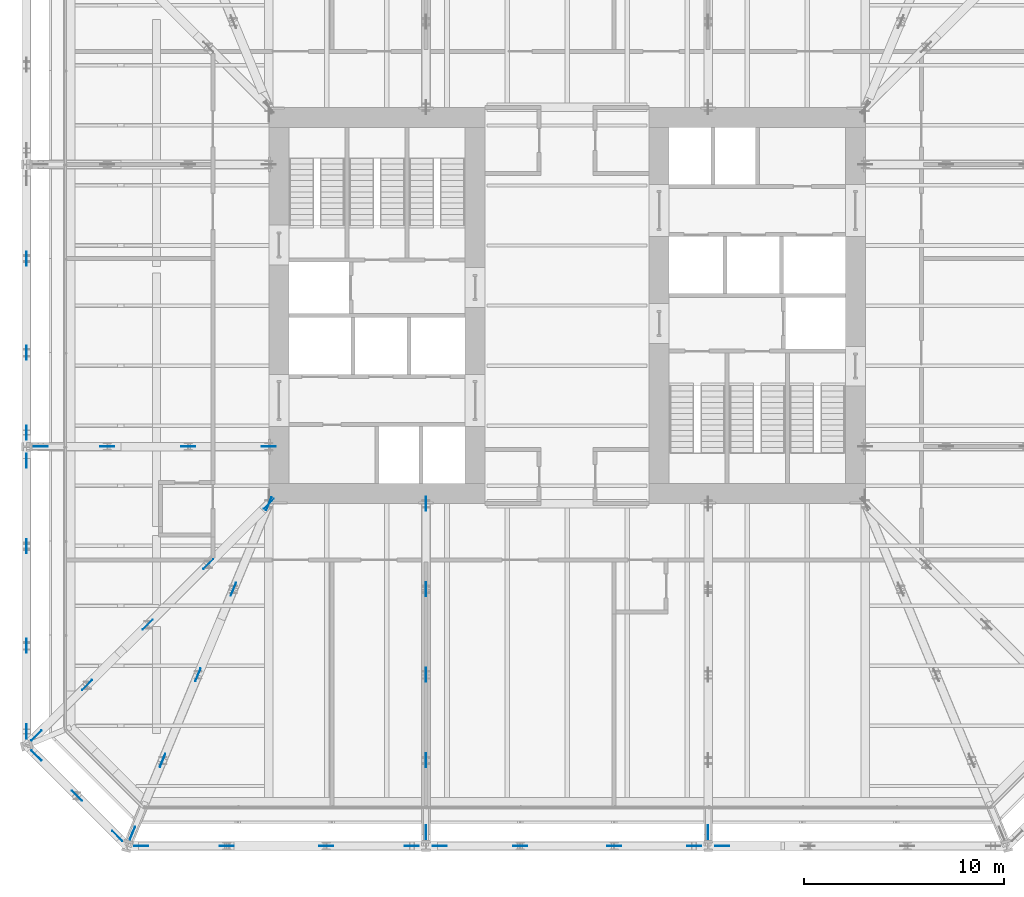
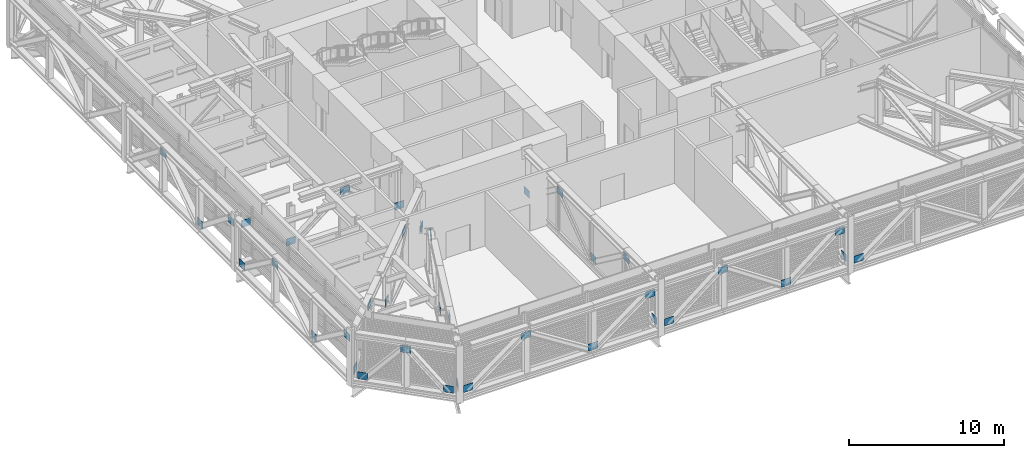
# One storey, part 29 of 33: 39 discrete accessories.
"""IFC4 building model written with IfcOpenShell, lengths in metres."""

import ifcopenshell
import ifcopenshell.guid

model = None  # the IFC model being written
_history = None  # IfcOwnerHistory: only IFC2X3 demands one
_inside = {}  # id of a spatial element -> (the spatial element, [elements in it])
_under = {}  # id of a project, library or spatial element -> (it, [spatial elements below it])
_declared = {}  # id of a project -> (the project, [libraries it declares])
_typed = {}  # id of a type object -> (the type object, [elements of that type])
_made_of = {}  # id of a material, layer set ... -> (it, [elements and type objects made of it])


def new_model(schema):
    """Start an empty IFC model of exactly this schema.

    Asked for "IFC4X3", IfcOpenShell would pick the latest addendum, in which some entities
    have other attributes; the version numbers below select the first issue.
    IFC2X3 requires an IfcOwnerHistory on every rooted entity: one is made here for all.
    """
    global model, _history
    if schema == "IFC4X3":
        model = ifcopenshell.file(schema_version=(4, 3, 0, 0))
    else:
        model = ifcopenshell.file(schema=schema)
    _inside.clear()
    _under.clear()
    _declared.clear()
    _typed.clear()
    _made_of.clear()
    _history = None
    if model.schema == "IFC2X3":
        org = make("IfcOrganization", Name="unknown")
        user = make(
            "IfcPersonAndOrganization",
            ThePerson=make("IfcPerson", FamilyName="unknown"),
            TheOrganization=org,
        )
        app = make(
            "IfcApplication",
            ApplicationDeveloper=org,
            Version="unknown",
            ApplicationFullName="unknown",
            ApplicationIdentifier="unknown",
        )
        _history = make(
            "IfcOwnerHistory",
            OwningUser=user,
            OwningApplication=app,
            ChangeAction="ADDED",
            CreationDate=0,
        )
    return model


def make(cls, **values):
    """One entity of the class cls with the attributes given. An attribute that is None is left unset."""
    return model.create_entity(
        cls, **{name: value for name, value in values.items() if value is not None}
    )


def rooted(cls, **values):
    """An entity with a GlobalId (a new one), such as an element, a storey or a relation."""
    return make(cls, GlobalId=ifcopenshell.guid.new(), OwnerHistory=_history, **values)


def si_unit(unit_type, name, prefix=None):
    """IfcSIUnit, for example si_unit("LENGTHUNIT", "METRE", prefix="MILLI")."""
    return make("IfcSIUnit", UnitType=unit_type, Prefix=prefix, Name=name)


def assignment(units):
    """IfcUnitAssignment: the units of a project."""
    return None if units is None else make("IfcUnitAssignment", Units=units)


def point(xyz):
    """IfcCartesianPoint."""
    return None if xyz is None else make("IfcCartesianPoint", Coordinates=xyz)


def direction(xyz):
    """IfcDirection."""
    return None if xyz is None else make("IfcDirection", DirectionRatios=xyz)


def frame(location, z_axis=None, x_axis=None):
    """IfcAxis2Placement3D, a coordinate frame: its origin and axes. An axis left out is left unset."""
    return make(
        "IfcAxis2Placement3D",
        Location=point(location),
        Axis=direction(z_axis),
        RefDirection=direction(x_axis),
    )


def frame_2d(location, x_axis=None):
    """IfcAxis2Placement2D, a coordinate frame in the plane: its origin and x axis."""
    return make(
        "IfcAxis2Placement2D", Location=point(location), RefDirection=direction(x_axis)
    )


def origin():
    """The frame at (0, 0, 0) with its axes left unset."""
    return frame((0.0, 0.0, 0.0))


def origin_2d():
    """The frame at (0, 0) in the plane with its x axis left unset."""
    return frame_2d((0.0, 0.0))


def place(relative_to, where):
    """IfcLocalPlacement: puts the frame where relative to a parent placement (None: the world)."""
    return make(
        "IfcLocalPlacement", PlacementRelTo=relative_to, RelativePlacement=where
    )


def context(
    kind, dimensions, precision=None, world=None, true_north=None, identifier=None
):
    """IfcGeometricRepresentationContext, for example the 3D "Model" context."""
    return make(
        "IfcGeometricRepresentationContext",
        ContextIdentifier=identifier,
        ContextType=kind,
        CoordinateSpaceDimension=dimensions,
        Precision=precision,
        WorldCoordinateSystem=world,
        TrueNorth=true_north,
    )


def subcontext(parent, identifier, kind, view, scale=None):
    """IfcGeometricRepresentationSubContext, for example "Body" below "Model"."""
    return make(
        "IfcGeometricRepresentationSubContext",
        ContextIdentifier=identifier,
        ContextType=kind,
        ParentContext=parent,
        TargetScale=scale,
        TargetView=view,
    )


def project(units=None, contexts=None):
    """IfcProject with its units and contexts."""
    return rooted(
        "IfcProject",
        Name="project",
        RepresentationContexts=contexts,
        UnitsInContext=assignment(units),
    )


def spatial(cls, under=None, at=None, **own):
    """A site, building, storey or space (cls), placed at a placement, below another one or the project."""
    s = rooted(cls, ObjectPlacement=at, **own)
    if under is not None:
        _under.setdefault(under.id(), (under, []))[1].append(s)
    return s


def profile(cls, at=None, kind="AREA", **sizes):
    """A parametric profile (cls). Its sizes go by their IFC names, for example OverallWidth=200.0."""
    return make(cls, ProfileType=kind, Position=at, **sizes)


def rectangle(**sizes):
    """IfcRectangleProfileDef."""
    return profile("IfcRectangleProfileDef", **sizes)


def extrude(swept, where, along, depth):
    """IfcExtrudedAreaSolid: the profile swept, set in the frame where, extruded along a direction by depth."""
    return make(
        "IfcExtrudedAreaSolid",
        SweptArea=swept,
        Position=where,
        ExtrudedDirection=direction(along),
        Depth=depth,
    )


def shape(context_of_items, identifier, shape_type, items):
    """IfcShapeRepresentation: the items that make up one representation, for example the "Body"."""
    return make(
        "IfcShapeRepresentation",
        ContextOfItems=context_of_items,
        RepresentationIdentifier=identifier,
        RepresentationType=shape_type,
        Items=items,
    )


def material(Name=None, Category=None):
    """IfcMaterial."""
    return make("IfcMaterial", Name=Name, Category=Category)


def layer(
    of_material, thickness, ventilated=None, Name=None, Category=None, Priority=None
):
    """IfcMaterialLayer: one layer of a wall or slab, of a material (None: an air gap)."""
    return make(
        "IfcMaterialLayer",
        Material=of_material,
        LayerThickness=thickness,
        IsVentilated=ventilated,
        Name=Name,
        Category=Category,
        Priority=Priority,
    )


def layer_set(layers, Name=None):
    """IfcMaterialLayerSet."""
    return make("IfcMaterialLayerSet", MaterialLayers=layers, LayerSetName=Name)


def made_of(thing, what):
    """Note that an element or type object is made of a material, layer set ...; save() writes the relation."""
    if what is not None:
        _made_of.setdefault(what.id(), (what, []))[1].append(thing)
    return thing


def type_object(cls, material=None, **own):
    """A type object (cls), such as IfcWallType, which elements share."""
    return made_of(rooted(cls, **own), material)


def element(
    cls,
    number,
    at=None,
    inside=None,
    cuts=None,
    type_object=None,
    material=None,
    context=None,
    identifier="Body",
    shape_type=None,
    held_by="IfcProductDefinitionShape",
    body=None,
    shapes=None,
    **own,
):
    """One element of the class cls, such as IfcWall. Its Tag is "e" and its number.

    at: its placement. inside: the storey or other place that contains it. cuts: it is an
    opening in that element (IfcRelVoidsElement). A single representation is given by context,
    identifier, shape_type and body (its items); several are given by shapes. held_by: the class
    of the entity that holds the representations. save() writes the other relations.
    """
    e = rooted(cls, Tag="e%d" % number, ObjectPlacement=at, **own)
    if body is not None:
        shapes = [shape(context, identifier, shape_type, body)]
    if shapes is not None:
        e.Representation = make(held_by, Representations=shapes)
    if inside is not None:
        _inside.setdefault(inside.id(), (inside, []))[1].append(e)
    if cuts is not None:
        rooted(
            "IfcRelVoidsElement", RelatingBuildingElement=cuts, RelatedOpeningElement=e
        )
    if type_object is not None:
        _typed.setdefault(type_object.id(), (type_object, []))[1].append(e)
    return made_of(e, material)


def aggregate(whole, parts):
    """IfcRelAggregates: a whole, such as a stair, and the parts it consists of."""
    return rooted("IfcRelAggregates", RelatingObject=whole, RelatedObjects=parts)


def save(model, path):
    """Write the relations noted so far, then the file.

    IfcRelAggregates (storeys below a building ...), IfcRelContainedInSpatialStructure (elements
    in a storey), IfcRelDefinesByType, IfcRelAssociatesMaterial and IfcRelDeclares: one each for
    every whole, place, type object, material and project.
    """
    for whole, parts in _under.values():
        aggregate(whole, parts)
    for where, things in _inside.values():
        rooted(
            "IfcRelContainedInSpatialStructure",
            RelatedElements=things,
            RelatingStructure=where,
        )
    for kind, things in _typed.values():
        rooted("IfcRelDefinesByType", RelatedObjects=things, RelatingType=kind)
    for what, things in _made_of.values():
        rooted("IfcRelAssociatesMaterial", RelatedObjects=things, RelatingMaterial=what)
    for by, libraries in _declared.values():
        rooted("IfcRelDeclares", RelatingContext=by, RelatedDefinitions=libraries)
    model.write(path)


model = new_model("IFC4")

# Units and contexts
model_context = context("Model", 3, precision=1e-05, world=origin(), true_north=direction((0.0, 1.0)))
body_context = subcontext(model_context, "Body", "Model", "MODEL_VIEW")
ifc_project = project(units=[si_unit("LENGTHUNIT", "METRE"), si_unit("AREAUNIT", "SQUARE_METRE"), si_unit("VOLUMEUNIT", "CUBIC_METRE"), si_unit("PLANEANGLEUNIT", "RADIAN"), si_unit("MASSUNIT", "GRAM", prefix="KILO")], contexts=[model_context])

# Site, building, storey
site_placement = place(None, origin())
site = spatial("IfcSite", under=ifc_project, at=site_placement, CompositionType="ELEMENT")
building_placement = place(site_placement, origin())
building = spatial("IfcBuilding", under=site, at=building_placement, Name="Millrace Tower", CompositionType="ELEMENT")
storey_placement = place(building_placement, frame((0.0, 0.0, 64.10009765625)))
storey = spatial("IfcBuildingStorey", under=building, at=storey_placement, Name="L14", CompositionType="ELEMENT", Elevation=64.10009765625)

# Discrete accessories
ifc_material = material(Name="Steel ASTM A572 Grade 50", Category="steel")
ifc_layer = layer(ifc_material, 0.02490234375)
ifc_layer_set = layer_set([ifc_layer], Name="Steel ASTM A572 Grade 50")
discrete_accessory_type = type_object("IfcDiscreteAccessoryType", Name="Truss gusset plate 700x550x25", PredefinedType="BRACKET", material=ifc_layer_set)
discrete_accessory_1_placement = place(storey_placement, frame((-26.75244140625, -22.225830078125, 0.7880859375), z_axis=(0.706932380706, -0.707281138664, 0.0), x_axis=(0.707281138664, 0.706932380706, 0.0)))
element("IfcDiscreteAccessory", 1, at=discrete_accessory_1_placement, inside=storey, type_object=discrete_accessory_type, Name="Truss gusset plate BLT-L14-R01-D01 foot", PredefinedType="BRACKET", context=body_context, shape_type="SweptSolid", body=[
    extrude(rectangle(XDim=0.02490234375, YDim=0.550048828125, at=origin_2d()), origin(), (0.0, 0.0, 1.0), 0.699951171875),
])
discrete_accessory_2_placement = place(storey_placement, frame((-24.73681640625, -24.24169921875, 3.411865234375), z_axis=(0.707106781187, -0.707106781187, 0.0), x_axis=(0.707106781187, 0.707106781187, 0.0)))
element("IfcDiscreteAccessory", 2, at=discrete_accessory_2_placement, inside=storey, type_object=discrete_accessory_type, Name="Truss gusset plate BLT-L14-R01-D01 head", PredefinedType="BRACKET", context=body_context, shape_type="SweptSolid", body=[
    extrude(rectangle(XDim=0.02490234375, YDim=0.550048828125, at=origin_2d()), origin(), (0.0, 0.0, 1.0), 0.7001953125),
])
for number, where, z_axis, x_axis, name in (
    (3, (-22.720947265625, -26.257568359375, 0.7880859375), (0.707281138664, -0.706932380706, 0.0), (0.706932380706, 0.707281138664, 0.0), "Truss gusset plate BLT-L14-R01-D02 foot"),
    (4, (-21.62841796875, -27.0, 0.7880859375), (1.0, 0.0, 0.0), (0.0, 1.0, 0.0), "Truss gusset plate BLT-L14-R02-D01 foot"),
    (5, (-17.352294921875, -27.0, 3.411865234375), (1.0, 0.0, 0.0), (0.0, 1.0, 0.0), "Truss gusset plate BLT-L14-R02-D01 head"),
):
    element("IfcDiscreteAccessory", number, at=place(storey_placement, frame(where, z_axis=z_axis, x_axis=x_axis)), inside=storey, type_object=discrete_accessory_type, Name=name, PredefinedType="BRACKET", context=body_context, shape_type="SweptSolid", body=[
        extrude(rectangle(XDim=0.02490234375, YDim=0.550048828125, at=origin_2d()), origin(), (0.0, 0.0, 1.0), 0.699951171875),
    ])
for number, where, z_axis, x_axis, name in (
    (6, (-12.376220703125, -27.0, 0.7880859375), (1.0, 0.0, 0.0), (0.0, 1.0, 0.0), "Truss gusset plate BLT-L14-R02-D02 foot"),
    (7, (-8.10009765625, -27.0, 3.411865234375), (1.0, 0.0, 0.0), (0.0, 1.0, 0.0), "Truss gusset plate BLT-L14-R02-D03 head"),
):
    element("IfcDiscreteAccessory", number, at=place(storey_placement, frame(where, z_axis=z_axis, x_axis=x_axis)), inside=storey, type_object=discrete_accessory_type, Name=name, PredefinedType="BRACKET", context=body_context, shape_type="SweptSolid", body=[
        extrude(rectangle(XDim=0.02490234375, YDim=0.550048828125, at=origin_2d()), origin(), (0.0, 0.0, 1.0), 0.7001953125),
    ])
for number, where, z_axis, x_axis, name in (
    (8, (-6.699951171875, -27.0, 0.7880859375), (1.0, 0.0, 0.0), (0.0, 1.0, 0.0), "Truss gusset plate BLT-L14-R03-D01 foot"),
    (9, (-2.699951171875, -27.0, 3.411865234375), (1.0, 0.0, 0.0), (0.0, 1.0, 0.0), "Truss gusset plate BLT-L14-R03-D01 head"),
    (10, (2.0, -27.0, 0.7880859375), (1.0, 0.0, 0.0), (0.0, 1.0, 0.0), "Truss gusset plate BLT-L14-R03-D02 foot"),
    (11, (6.0, -27.0, 3.411865234375), (1.0, 0.0, 0.0), (0.0, 1.0, 0.0), "Truss gusset plate BLT-L14-R03-D03 head"),
):
    element("IfcDiscreteAccessory", number, at=place(storey_placement, frame(where, z_axis=z_axis, x_axis=x_axis)), inside=storey, type_object=discrete_accessory_type, Name=name, PredefinedType="BRACKET", context=body_context, shape_type="SweptSolid", body=[
        extrude(rectangle(XDim=0.02490234375, YDim=0.550048828125, at=origin_2d()), origin(), (0.0, 0.0, 1.0), 0.699951171875),
    ])
discrete_accessory_3_placement = place(storey_placement, frame((7.39990234375, -27.0, 0.7880859375), z_axis=(1.0, 0.0, 0.0), x_axis=(0.0, 1.0, 0.0)))
element("IfcDiscreteAccessory", 12, at=discrete_accessory_3_placement, inside=storey, type_object=discrete_accessory_type, Name="Truss gusset plate BLT-L14-R04-D01 foot", PredefinedType="BRACKET", context=body_context, shape_type="SweptSolid", body=[
    extrude(rectangle(XDim=0.02490234375, YDim=0.550048828125, at=origin_2d()), origin(), (0.0, 0.0, 1.0), 0.7001953125),
])
for number, where, z_axis, x_axis, name in (
    (13, (-27.0, 2.0, 3.411865234375), (0.0, 1.0, 0.0), (-1.0, 0.0, 0.0), "Truss gusset plate BLT-L14-R15-D01 head"),
    (14, (-27.0, -2.699951171875, 0.7880859375), (0.0, 1.0, 0.0), (-1.0, 0.0, 0.0), "Truss gusset plate BLT-L14-R15-D02 foot"),
    (15, (-27.0, -6.699951171875, 3.411865234375), (0.0, 1.0, 0.0), (-1.0, 0.0, 0.0), "Truss gusset plate BLT-L14-R15-D03 head"),
):
    element("IfcDiscreteAccessory", number, at=place(storey_placement, frame(where, z_axis=z_axis, x_axis=x_axis)), inside=storey, type_object=discrete_accessory_type, Name=name, PredefinedType="BRACKET", context=body_context, shape_type="SweptSolid", body=[
        extrude(rectangle(XDim=0.02490234375, YDim=0.550048828125, at=origin_2d()), origin(), (0.0, 0.0, 1.0), 0.699951171875),
    ])
for number, where, z_axis, x_axis, name in (
    (16, (-27.0, -8.10009765625, 0.7880859375), (0.0, 1.0, 0.0), (-1.0, 0.0, 0.0), "Truss gusset plate BLT-L14-R16-D01 foot"),
    (17, (-27.0, -12.376220703125, 3.411865234375), (0.0, 1.0, 0.0), (-1.0, 0.0, 0.0), "Truss gusset plate BLT-L14-R16-D01 head"),
):
    element("IfcDiscreteAccessory", number, at=place(storey_placement, frame(where, z_axis=z_axis, x_axis=x_axis)), inside=storey, type_object=discrete_accessory_type, Name=name, PredefinedType="BRACKET", context=body_context, shape_type="SweptSolid", body=[
        extrude(rectangle(XDim=0.02490234375, YDim=0.550048828125, at=origin_2d()), origin(), (0.0, 0.0, 1.0), 0.7001953125),
    ])
for number, where, z_axis, x_axis, name in (
    (18, (-27.0, -17.352294921875, 0.7880859375), (0.0, 1.0, 0.0), (-1.0, 0.0, 0.0), "Truss gusset plate BLT-L14-R16-D02 foot"),
    (19, (-27.0, -21.62841796875, 3.411865234375), (0.0, 1.0, 0.0), (-1.0, 0.0, 0.0), "Truss gusset plate BLT-L14-R16-D03 head"),
    (20, (-15.147705078125, -10.147216796875, 0.7880859375), (0.707629724481, 0.706583450861, 0.0), (-0.706583450861, 0.707629724481, 0.0), "Truss gusset plate BLT-L14-O01-D01 foot"),
    (21, (-18.172607421875, -13.1669921875, 3.411865234375), (0.707629724481, 0.706583450861, 0.0), (-0.706583450861, 0.707629724481, 0.0), "Truss gusset plate BLT-L14-O01-D01 head"),
    (22, (-21.19775390625, -16.1865234375, 0.7880859375), (0.707629724481, 0.706583450861, 0.0), (-0.706583450861, 0.707629724481, 0.0), "Truss gusset plate BLT-L14-O01-D02 foot"),
    (23, (-24.22265625, -19.2060546875, 3.411865234375), (0.707804124643, 0.706408749336, 0.0), (-0.706408749336, 0.707804124643, 0.0), "Truss gusset plate BLT-L14-O01-D03 head"),
    (24, (-26.752197265625, -21.731201171875, 0.7880859375), (0.707629724481, 0.706583450861, 0.0), (-0.706583450861, 0.707629724481, 0.0), "Truss gusset plate BLT-L14-O01-D04 foot"),
    (25, (-15.033935546875, -10.223388671875, 0.7880859375), (0.382608492088, 0.92391057023, 0.0), (-0.92391057023, 0.382608492088, 0.0), "Truss gusset plate BLT-L14-O02-D01 foot"),
    (26, (-16.803466796875, -14.498291015625, 3.411865234375), (0.382608492088, 0.92391057023, 0.0), (-0.92391057023, 0.382608492088, 0.0), "Truss gusset plate BLT-L14-O02-D01 head"),
    (27, (-18.572998046875, -18.7734375, 0.7880859375), (0.38231071261, 0.924033830021, 0.0), (-0.924033830021, 0.38231071261, 0.0), "Truss gusset plate BLT-L14-O02-D02 foot"),
    (28, (-20.3427734375, -23.04833984375, 3.411865234375), (0.382608492088, 0.92391057023, 0.0), (-0.92391057023, 0.382608492088, 0.0), "Truss gusset plate BLT-L14-O02-D03 head"),
    (29, (-21.844482421875, -26.676513671875, 0.7880859375), (0.38231071261, 0.924033830021, 0.0), (-0.924033830021, 0.38231071261, 0.0), "Truss gusset plate BLT-L14-O02-D04 foot"),
    (30, (-7.050048828125, -10.25, 0.7880859375), (0.0, 1.0, 0.0), (-1.0, 0.0, 0.0), "Truss gusset plate BLT-L14-O03-D01 foot"),
    (31, (-7.050048828125, -14.52490234375, 3.411865234375), (0.0, 1.0, 0.0), (-1.0, 0.0, 0.0), "Truss gusset plate BLT-L14-O03-D01 head"),
    (32, (-7.050048828125, -18.800048828125, 0.7880859375), (0.0, 1.0, 0.0), (-1.0, 0.0, 0.0), "Truss gusset plate BLT-L14-O03-D02 foot"),
    (33, (-7.050048828125, -23.074951171875, 3.411865234375), (0.0, 1.0, 0.0), (-1.0, 0.0, 0.0), "Truss gusset plate BLT-L14-O03-D03 head"),
    (34, (-7.050048828125, -26.64990234375, 0.7880859375), (0.0, 1.0, 0.0), (-1.0, 0.0, 0.0), "Truss gusset plate BLT-L14-O03-D04 foot"),
    (35, (7.050048828125, -26.64990234375, 0.7880859375), (0.0, 1.0, 0.0), (-1.0, 0.0, 0.0), "Truss gusset plate BLT-L14-O04-D04 foot"),
    (36, (-15.25, -7.050048828125, 0.7880859375), (1.0, 0.0, 0.0), (0.0, 1.0, 0.0), "Truss gusset plate BLT-L14-O16-D01 foot"),
    (37, (-19.283203125, -7.050048828125, 3.411865234375), (1.0, 0.0, 0.0), (0.0, 1.0, 0.0), "Truss gusset plate BLT-L14-O16-D01 head"),
    (38, (-23.316650390625, -7.050048828125, 0.7880859375), (1.0, 0.0, 0.0), (0.0, 1.0, 0.0), "Truss gusset plate BLT-L14-O16-D02 foot"),
    (39, (-26.64990234375, -7.050048828125, 3.411865234375), (1.0, 0.0, 0.0), (0.0, 1.0, 0.0), "Truss gusset plate BLT-L14-O16-D03 head"),
):
    element("IfcDiscreteAccessory", number, at=place(storey_placement, frame(where, z_axis=z_axis, x_axis=x_axis)), inside=storey, type_object=discrete_accessory_type, Name=name, PredefinedType="BRACKET", context=body_context, shape_type="SweptSolid", body=[
        extrude(rectangle(XDim=0.02490234375, YDim=0.550048828125, at=origin_2d()), origin(), (0.0, 0.0, 1.0), 0.699951171875),
    ])

save(model, "model.ifc")
